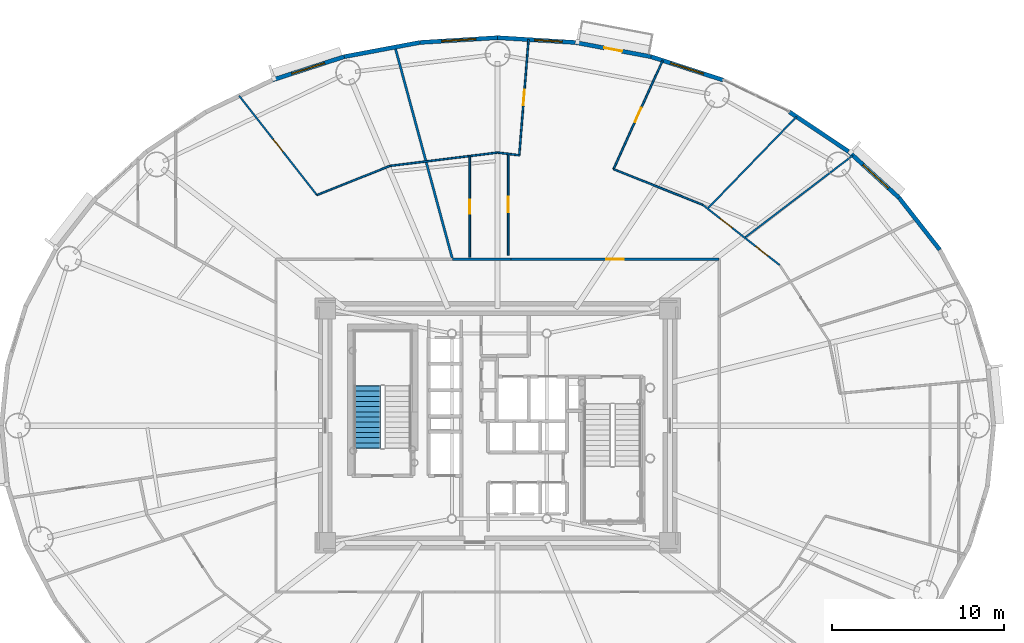
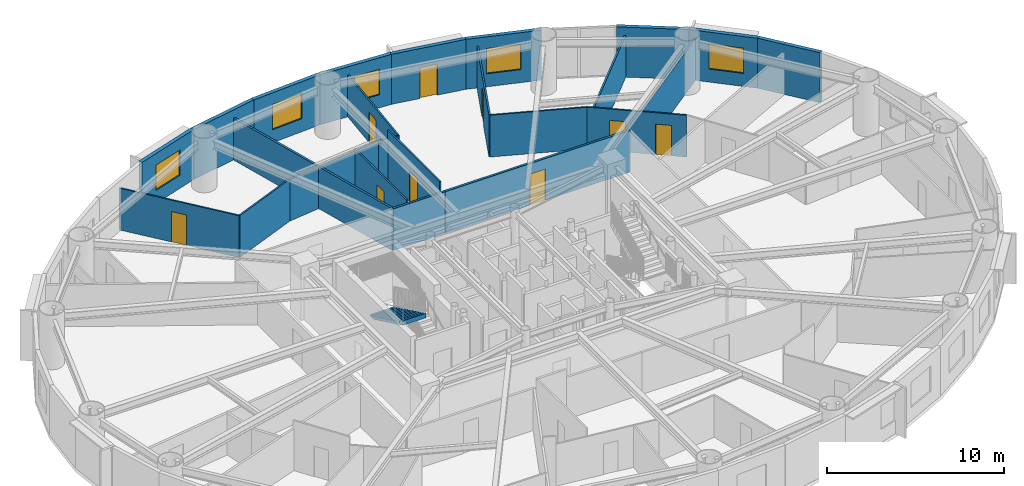
# One storey, part 11 of 17: 24 walls, 9 doors, 5 windows, 1 stair flight, 14 openings, 1 element without a shape of its own.
"""IFC4 building model written with IfcOpenShell, lengths in metres."""

from ifc_helpers import new_model, si_unit, direction, frame, frame_2d, origin, origin_2d, place, context, subcontext, project, spatial, polyline, rectangle, outline, extrude, source, transform, mapped, material, layer, layer_set, type_object, element, fill, aggregate, save


model = new_model("IFC4")

# Units and contexts
model_context = context("Model", 3, precision=1e-05, world=origin(), true_north=direction((0.0, 1.0)))
body_context = subcontext(model_context, "Body", "Model", "MODEL_VIEW")
ifc_project = project(units=[si_unit("LENGTHUNIT", "METRE"), si_unit("AREAUNIT", "SQUARE_METRE"), si_unit("VOLUMEUNIT", "CUBIC_METRE"), si_unit("PLANEANGLEUNIT", "RADIAN"), si_unit("MASSUNIT", "GRAM", prefix="KILO")], contexts=[model_context])

# Site, building, storey
site_placement = place(None, origin())
site = spatial("IfcSite", under=ifc_project, at=site_placement, CompositionType="ELEMENT")
building_placement = place(site_placement, origin())
building = spatial("IfcBuilding", under=site, at=building_placement, Name="Linh Dai School and Residence Tower", CompositionType="ELEMENT")
storey_placement = place(building_placement, frame((0.0, 0.0, 142.199951171875)))
storey = spatial("IfcBuildingStorey", under=building, at=storey_placement, Name="L34", CompositionType="ELEMENT", Elevation=142.199951171875)

# Wall
ifc_material_1 = material(Name="Precast Concrete B45 (C35/45)", Category="concrete")
ifc_layer_1 = layer(ifc_material_1, 0.239990234375)
ifc_layer_set_1 = layer_set([ifc_layer_1], Name="Precast Concrete B45 (C35/45)")
wall_type_1 = type_object("IfcWallType", Name="EW-TC-240", PredefinedType="SOLIDWALL", material=ifc_layer_set_1)
wall_1_placement = place(storey_placement, frame((59.2890625, 40.216552734375, 0.0), z_axis=(0.0, 0.0, 1.0), x_axis=(0.616272103517, -0.787533297345, 0.0)))
element("IfcWall", 1, at=wall_1_placement, inside=storey, type_object=wall_type_1, Name="L34 Terracotta Exterior Wall 04", PredefinedType="SOLIDWALL", context=body_context, shape_type="SweptSolid", body=[
    extrude(rectangle(XDim=3.8232421875, YDim=0.239990234375, at=frame_2d((1.91162109375, 0.0))), origin(), (0.0, 0.0, 1.0), 3.449951171875),
])

# Wall, opening, window
wall_2_placement = place(storey_placement, frame((56.3583984375, 42.9033203125, 0.0), z_axis=(0.0, 0.0, 1.0), x_axis=(0.737113356241, -0.675769117414, 0.0)))
wall_2 = element("IfcWall", 2, at=wall_2_placement, inside=storey, type_object=wall_type_1, Name="L34 Terracotta Exterior Wall 05", PredefinedType="SOLIDWALL", context=body_context, shape_type="SweptSolid", body=[
    extrude(rectangle(XDim=3.975830078125, YDim=0.239990234375, at=frame_2d((1.98779296875, 0.0))), origin(), (0.0, 0.0, 1.0), 3.449951171875),
])
opening_1_placement = place(wall_2_placement, frame((1.140625, 0.0, 0.89990234375)))
opening_1 = element("IfcOpeningElement", 3, at=opening_1_placement, cuts=wall_2, Name="Opening W1", PredefinedType="OPENING", context=body_context, shape_type="SweptSolid", body=[
    extrude(rectangle(XDim=2.0, YDim=1.75, at=origin_2d()), frame((1.0, 0.1298828125, 0.875), z_axis=(0.0, -1.0, 0.0), x_axis=(1.0, 0.0, 0.0)), (0.0, 0.0, 1.0), 0.260009765625),
])
ifc_material_2 = material(Name="Double Low-E Insulated Glazing", Category="glass")
window_type_1 = type_object("IfcWindowType", Name="WN-RES-2000x1750", PartitioningType="DOUBLE_PANEL_VERTICAL", PredefinedType="WINDOW", material=ifc_material_2)
shared_shape_1 = source(origin(), body_context, "Body", "SweptSolid", [
    extrude(rectangle(XDim=2.0, YDim=1.75, at=origin_2d()), frame((1.0, 0.030029296875, 0.875), z_axis=(0.0, -1.0, 0.0), x_axis=(1.0, 0.0, 0.0)), (0.0, 0.0, 1.0), 0.06005859375),
])
window_1_placement = place(opening_1_placement, origin())
window_1 = element("IfcWindow", 4, at=window_1_placement, inside=storey, type_object=window_type_1, Name="L34 Exterior Window 05.1", OverallHeight=1.75, OverallWidth=2.0, PartitioningType="DOUBLE_PANEL_VERTICAL", PredefinedType="WINDOW", context=body_context, shape_type="MappedRepresentation", body=[
    mapped(shared_shape_1, transform((0.0, 0.0, 0.0), x_axis=(1.0, 0.0, 0.0), y_axis=(0.0, 1.0, 0.0), z_axis=(0.0, 0.0, 1.0), scale=1.0)),
])
fill(opening_1, window_1)

# Wall
wall_3_placement = place(storey_placement, frame((52.92529296875, 45.199462890625, 0.0), z_axis=(0.0, 0.0, 1.0), x_axis=(0.831221811447, -0.555940914284, 0.0)))
element("IfcWall", 5, at=wall_3_placement, inside=storey, type_object=wall_type_1, Name="L34 Terracotta Exterior Wall 06", PredefinedType="SOLIDWALL", context=body_context, shape_type="SweptSolid", body=[
    extrude(rectangle(XDim=4.130126953125, YDim=0.239990234375, at=frame_2d((2.06494140625, 0.0))), origin(), (0.0, 0.0, 1.0), 3.449951171875),
])

# Wall, opening, window
wall_4_placement = place(storey_placement, frame((44.899658203125, 48.4013671875, 0.0), z_axis=(0.0, 0.0, 1.0), x_axis=(0.951211346073, -0.308540070495, 0.0)))
wall_4 = element("IfcWall", 6, at=wall_4_placement, inside=storey, type_object=wall_type_1, Name="L34 Terracotta Exterior Wall 08", PredefinedType="SOLIDWALL", context=body_context, shape_type="SweptSolid", body=[
    extrude(rectangle(XDim=4.388427734375, YDim=0.239990234375, at=frame_2d((2.1943359375, 0.0))), origin(), (0.0, 0.0, 1.0), 3.449951171875),
])
opening_2_placement = place(wall_4_placement, frame((1.194091796875, 0.0, 0.89990234375)))
opening_2 = element("IfcOpeningElement", 7, at=opening_2_placement, cuts=wall_4, Name="Opening W1", PredefinedType="OPENING", context=body_context, shape_type="SweptSolid", body=[
    extrude(rectangle(XDim=2.0, YDim=1.75, at=origin_2d()), frame((1.0, 0.1298828125, 0.875), z_axis=(0.0, -1.0, 0.0), x_axis=(1.0, 0.0, 0.0)), (0.0, 0.0, 1.0), 0.260009765625),
])
window_2_placement = place(opening_2_placement, origin())
window_2 = element("IfcWindow", 8, at=window_2_placement, inside=storey, type_object=window_type_1, Name="L34 Exterior Window 08.1", OverallHeight=1.75, OverallWidth=2.0, PartitioningType="DOUBLE_PANEL_VERTICAL", PredefinedType="WINDOW", context=body_context, shape_type="MappedRepresentation", body=[
    mapped(shared_shape_1, transform((0.0, 0.0, 0.0), x_axis=(1.0, 0.0, 0.0), y_axis=(0.0, 1.0, 0.0), z_axis=(0.0, 0.0, 1.0), scale=1.0)),
])
fill(opening_2, window_2)

# Wall, opening, door
wall_5_placement = place(storey_placement, frame((40.505615234375, 49.227294921875, 0.0), z_axis=(0.0, 0.0, 1.0), x_axis=(0.982789252177, -0.184730305596, 0.0)))
wall_5 = element("IfcWall", 9, at=wall_5_placement, inside=storey, type_object=wall_type_1, Name="L34 Terracotta Exterior Wall 09", PredefinedType="SOLIDWALL", context=body_context, shape_type="SweptSolid", body=[
    extrude(rectangle(XDim=4.470947265625, YDim=0.239990234375, at=frame_2d((2.2353515625, 0.0))), origin(), (0.0, 0.0, 1.0), 3.449951171875),
])
opening_3_placement = place(wall_5_placement, frame((1.710693359375, 0.0, 0.0)))
opening_3 = element("IfcOpeningElement", 10, at=opening_3_placement, cuts=wall_5, Name="Opening BD1", PredefinedType="OPENING", context=body_context, shape_type="SweptSolid", body=[
    extrude(rectangle(XDim=1.050048828125, YDim=2.14990234375, at=origin_2d()), frame((0.52490234375, 0.1298828125, 1.074951171875), z_axis=(0.0, -1.0, 0.0), x_axis=(1.0, 0.0, 0.0)), (0.0, 0.0, 1.0), 0.260009765625),
])
ifc_material_3 = material(Name="Double-Glazed Balcony Door", Category="glass")
door_type_1 = type_object("IfcDoorType", Name="DR-BALC-1050x2150", OperationType="NOTDEFINED", PredefinedType="DOOR", material=ifc_material_3)
shared_shape_2 = source(origin(), body_context, "Body", "SweptSolid", [
    extrude(rectangle(XDim=1.050048828125, YDim=2.14990234375, at=origin_2d()), frame((0.52490234375, 0.02490234375, 1.074951171875), z_axis=(0.0, -1.0, 0.0), x_axis=(1.0, 0.0, 0.0)), (0.0, 0.0, 1.0), 0.050048828125),
])
door_1_placement = place(opening_3_placement, origin())
door_1 = element("IfcDoor", 11, at=door_1_placement, inside=storey, type_object=door_type_1, Name="L34 Glazed Balcony Door 09", OperationType="SINGLE_SWING_LEFT", OverallHeight=2.14990234375, OverallWidth=1.050048828125, PredefinedType="DOOR", context=body_context, shape_type="MappedRepresentation", body=[
    mapped(shared_shape_2, transform((0.0, 0.0, 0.0), x_axis=(1.0, 0.0, 0.0), y_axis=(0.0, 1.0, 0.0), z_axis=(0.0, 0.0, 1.0), scale=1.0)),
])
fill(opening_3, door_1)

# Wall, opening, window
wall_6_placement = place(storey_placement, frame((36.0, 49.5048828125, 0.0), z_axis=(0.0, 0.0, 1.0), x_axis=(0.998107531589, -0.061492726276, 0.0)))
wall_6 = element("IfcWall", 12, at=wall_6_placement, inside=storey, type_object=wall_type_1, Name="L34 Terracotta Exterior Wall 10", PredefinedType="SOLIDWALL", context=body_context, shape_type="SweptSolid", body=[
    extrude(rectangle(XDim=4.51416015625, YDim=0.239990234375, at=frame_2d((2.257080078125, 0.0))), origin(), (0.0, 0.0, 1.0), 3.449951171875),
])
opening_4_placement = place(wall_6_placement, frame((2.161376953125, 0.0, 0.89990234375)))
opening_4 = element("IfcOpeningElement", 13, at=opening_4_placement, cuts=wall_6, Name="Opening W2", PredefinedType="OPENING", context=body_context, shape_type="SweptSolid", body=[
    extrude(rectangle(XDim=1.60009765625, YDim=1.75, at=origin_2d()), frame((0.800048828125, 0.1298828125, 0.875), z_axis=(0.0, -1.0, 0.0), x_axis=(1.0, 0.0, 0.0)), (0.0, 0.0, 1.0), 0.260009765625),
])
window_type_2 = type_object("IfcWindowType", Name="WN-RES-1600x1750", PartitioningType="DOUBLE_PANEL_VERTICAL", PredefinedType="WINDOW", material=ifc_material_2)
shared_shape_3 = source(origin(), body_context, "Body", "SweptSolid", [
    extrude(rectangle(XDim=1.60009765625, YDim=1.75, at=origin_2d()), frame((0.800048828125, 0.030029296875, 0.875), z_axis=(0.0, -1.0, 0.0), x_axis=(1.0, 0.0, 0.0)), (0.0, 0.0, 1.0), 0.06005859375),
])
window_3_placement = place(opening_4_placement, origin())
window_3 = element("IfcWindow", 14, at=window_3_placement, inside=storey, type_object=window_type_2, Name="L34 Exterior Window 10.1", OverallHeight=1.75, OverallWidth=1.60009765625, PartitioningType="DOUBLE_PANEL_VERTICAL", PredefinedType="WINDOW", context=body_context, shape_type="MappedRepresentation", body=[
    mapped(shared_shape_3, transform((0.0, 0.0, 0.0), x_axis=(1.0, 0.0, 0.0), y_axis=(0.0, 1.0, 0.0), z_axis=(0.0, 0.0, 1.0), scale=1.0)),
])
fill(opening_4, window_3)

wall_7_placement = place(storey_placement, frame((31.494384765625, 49.227294921875, 0.0), z_axis=(0.0, 0.0, 1.0), x_axis=(0.998107531589, 0.061492726276, 0.0)))
wall_7 = element("IfcWall", 15, at=wall_7_placement, inside=storey, type_object=wall_type_1, Name="L34 Terracotta Exterior Wall 11", PredefinedType="SOLIDWALL", context=body_context, shape_type="SweptSolid", body=[
    extrude(rectangle(XDim=4.51416015625, YDim=0.239990234375, at=frame_2d((2.257080078125, 0.0))), origin(), (0.0, 0.0, 1.0), 3.449951171875),
])
opening_5_placement = place(wall_7_placement, frame((1.257080078125, 0.0, 0.89990234375)))
opening_5 = element("IfcOpeningElement", 16, at=opening_5_placement, cuts=wall_7, Name="Opening W1", PredefinedType="OPENING", context=body_context, shape_type="SweptSolid", body=[
    extrude(rectangle(XDim=2.0, YDim=1.75, at=origin_2d()), frame((1.0, 0.1298828125, 0.875), z_axis=(0.0, -1.0, 0.0), x_axis=(1.0, 0.0, 0.0)), (0.0, 0.0, 1.0), 0.260009765625),
])
window_4_placement = place(opening_5_placement, origin())
window_4 = element("IfcWindow", 17, at=window_4_placement, inside=storey, type_object=window_type_1, Name="L34 Exterior Window 11.1", OverallHeight=1.75, OverallWidth=2.0, PartitioningType="DOUBLE_PANEL_VERTICAL", PredefinedType="WINDOW", context=body_context, shape_type="MappedRepresentation", body=[
    mapped(shared_shape_1, transform((0.0, 0.0, 0.0), x_axis=(1.0, 0.0, 0.0), y_axis=(0.0, 1.0, 0.0), z_axis=(0.0, 0.0, 1.0), scale=1.0)),
])
fill(opening_5, window_4)

# Wall
wall_8_placement = place(storey_placement, frame((27.100341796875, 48.4013671875, 0.0), z_axis=(0.0, 0.0, 1.0), x_axis=(0.982789252177, 0.184730305596, 0.0)))
element("IfcWall", 18, at=wall_8_placement, inside=storey, type_object=wall_type_1, Name="L34 Terracotta Exterior Wall 12", PredefinedType="SOLIDWALL", context=body_context, shape_type="SweptSolid", body=[
    extrude(rectangle(XDim=4.470947265625, YDim=0.239990234375, at=frame_2d((2.2353515625, 0.0))), origin(), (0.0, 0.0, 1.0), 3.449951171875),
])

# Wall, opening, window
wall_9_placement = place(storey_placement, frame((22.926025390625, 47.04736328125, 0.0), z_axis=(0.0, 0.0, 1.0), x_axis=(0.951211346073, 0.308540070495, 0.0)))
wall_9 = element("IfcWall", 19, at=wall_9_placement, inside=storey, type_object=wall_type_1, Name="L34 Terracotta Exterior Wall 13", PredefinedType="SOLIDWALL", context=body_context, shape_type="SweptSolid", body=[
    extrude(rectangle(XDim=4.388427734375, YDim=0.239990234375, at=frame_2d((2.1943359375, 0.0))), origin(), (0.0, 0.0, 1.0), 3.449951171875),
])
opening_6_placement = place(wall_9_placement, frame((1.1943359375, 0.0, 0.89990234375)))
opening_6 = element("IfcOpeningElement", 20, at=opening_6_placement, cuts=wall_9, Name="Opening W1", PredefinedType="OPENING", context=body_context, shape_type="SweptSolid", body=[
    extrude(rectangle(XDim=2.0, YDim=1.75, at=origin_2d()), frame((1.0, 0.1298828125, 0.875), z_axis=(0.0, -1.0, 0.0), x_axis=(1.0, 0.0, 0.0)), (0.0, 0.0, 1.0), 0.260009765625),
])
window_5_placement = place(opening_6_placement, origin())
window_5 = element("IfcWindow", 21, at=window_5_placement, inside=storey, type_object=window_type_1, Name="L34 Exterior Window 13.1", OverallHeight=1.75, OverallWidth=2.0, PartitioningType="DOUBLE_PANEL_VERTICAL", PredefinedType="WINDOW", context=body_context, shape_type="MappedRepresentation", body=[
    mapped(shared_shape_1, transform((0.0, 0.0, 0.0), x_axis=(1.0, 0.0, 0.0), y_axis=(0.0, 1.0, 0.0), z_axis=(0.0, 0.0, 1.0), scale=1.0)),
])
fill(opening_6, window_5)

# Wall
ifc_material_4 = material(Name="Autoclaved Aerated Concrete Blockwork", Category="masonry")
ifc_layer_2 = layer(ifc_material_4, 0.135009765625)
ifc_layer_set_2 = layer_set([ifc_layer_2], Name="Autoclaved Aerated Concrete Blockwork")
wall_type_2 = type_object("IfcWallType", Name="IW-CORR-135-EI90", PredefinedType="PARTITIONING", material=ifc_layer_set_2)
wall_10_placement = place(storey_placement, frame((30.0517578125, 48.961181640625, 0.0), z_axis=(0.0, 0.0, 1.0), x_axis=(0.261432565902, -0.965221743169, 0.0)))
element("IfcWall", 22, at=wall_10_placement, inside=storey, type_object=wall_type_2, Name="L34 Interior Partition Wall 024", PredefinedType="PARTITIONING", context=body_context, shape_type="SweptSolid", body=[
    extrude(rectangle(XDim=12.754638671875, YDim=0.135009765625, at=frame_2d((6.37744140625, 0.0))), origin(), (0.0, 0.0, 1.0), 2.885009765625),
])

# Wall, opening, door
wall_11_placement = place(storey_placement, frame((36.773681640625, 36.64990234375, 0.0), z_axis=(0.0, 0.0, 1.0), x_axis=(1.0, 0.0, 0.0)))
wall_11 = element("IfcWall", 23, at=wall_11_placement, inside=storey, type_object=wall_type_2, Name="L34 Interior Partition Wall 053", PredefinedType="PARTITIONING", context=body_context, shape_type="SweptSolid", body=[
    extrude(rectangle(XDim=12.076416015625, YDim=0.135009765625, at=frame_2d((6.0380859375, 0.0))), origin(), (0.0, 0.0, 1.0), 2.885009765625),
])
opening_7_placement = place(wall_11_placement, frame((5.5380859375, 0.0, 0.0)))
opening_7 = element("IfcOpeningElement", 24, at=opening_7_placement, cuts=wall_11, Name="Opening D03", PredefinedType="OPENING", context=body_context, shape_type="SweptSolid", body=[
    extrude(rectangle(XDim=1.0, YDim=2.14990234375, at=origin_2d()), frame((0.5, 0.07763671875, 1.074951171875), z_axis=(0.0, -1.0, 0.0), x_axis=(1.0, 0.0, 0.0)), (0.0, 0.0, 1.0), 0.155029296875),
])
ifc_material_5 = material(Name="Fire-Rated Solid Timber Entrance Door", Category="wood")
door_type_2 = type_object("IfcDoorType", Name="DR-FLAT-1000x2150-FD60S", OperationType="NOTDEFINED", PredefinedType="DOOR", material=ifc_material_5)
shared_shape_4 = source(origin(), body_context, "Body", "SweptSolid", [
    extrude(rectangle(XDim=1.0, YDim=2.14990234375, at=origin_2d()), frame((0.5, 0.02490234375, 1.074951171875), z_axis=(0.0, -1.0, 0.0), x_axis=(1.0, 0.0, 0.0)), (0.0, 0.0, 1.0), 0.050048828125),
])
door_2_placement = place(opening_7_placement, origin())
door_2 = element("IfcDoor", 25, at=door_2_placement, inside=storey, type_object=door_type_2, Name="L34 U3404 Apartment Entrance Door", OperationType="SINGLE_SWING_LEFT", OverallHeight=2.14990234375, OverallWidth=1.0, PredefinedType="DOOR", context=body_context, shape_type="MappedRepresentation", body=[
    mapped(shared_shape_4, transform((0.0, 0.0, 0.0), x_axis=(1.0, 0.0, 0.0), y_axis=(0.0, 1.0, 0.0), z_axis=(0.0, 0.0, 1.0), scale=1.0)),
])
fill(opening_7, door_2)

# Wall
wall_12_placement = place(storey_placement, frame((33.396240234375, 36.64990234375, 0.0), z_axis=(0.0, 0.0, 1.0), x_axis=(1.0, 0.0, 0.0)))
element("IfcWall", 26, at=wall_12_placement, inside=storey, type_object=wall_type_2, Name="L34 Interior Partition Wall 102", PredefinedType="PARTITIONING", context=body_context, shape_type="SweptSolid", body=[
    extrude(rectangle(XDim=3.367431640625, YDim=0.135009765625, at=frame_2d((1.68359375, 0.0))), origin(), (0.0, 0.0, 1.0), 2.885009765625),
])

# Wall, opening, door
ifc_material_6 = material(Name="Gypsum Plasterboard Acoustic Stud Partition", Category="masonry")
ifc_layer_3 = layer(ifc_material_6, 0.10009765625)
ifc_layer_set_3 = layer_set([ifc_layer_3], Name="Gypsum Plasterboard Acoustic Stud Partition")
wall_type_3 = type_object("IfcWallType", Name="IW-UNIT-100", PredefinedType="PARTITIONING", material=ifc_layer_set_3)
wall_13_placement = place(storey_placement, frame((21.009521484375, 46.13330078125, 0.0), z_axis=(0.0, 0.0, 1.0), x_axis=(0.616738538538, -0.787168072956, 0.0)))
wall_13 = element("IfcWall", 27, at=wall_13_placement, inside=storey, type_object=wall_type_3, Name="L34 Interior Partition Wall 014", PredefinedType="PARTITIONING", context=body_context, shape_type="SweptSolid", body=[
    extrude(rectangle(XDim=7.3115234375, YDim=0.10009765625, at=frame_2d((3.65576171875, 0.0))), origin(), (0.0, 0.0, 1.0), 2.885009765625),
])
opening_8_placement = place(wall_13_placement, frame((3.205810546875, 0.0, 0.0)))
opening_8 = element("IfcOpeningElement", 28, at=opening_8_placement, cuts=wall_13, Name="Opening D05", PredefinedType="OPENING", context=body_context, shape_type="SweptSolid", body=[
    extrude(rectangle(XDim=0.89990234375, YDim=2.10009765625, at=origin_2d()), frame((0.449951171875, 0.06005859375, 1.050048828125), z_axis=(0.0, -1.0, 0.0), x_axis=(1.0, 0.0, 0.0)), (0.0, 0.0, 1.0), 0.1201171875),
])
ifc_material_7 = material(Name="Engineered Timber Internal Door", Category="wood")
door_type_3 = type_object("IfcDoorType", Name="DR-INT-900x2100", OperationType="NOTDEFINED", PredefinedType="DOOR", material=ifc_material_7)
shared_shape_5 = source(origin(), body_context, "Body", "SweptSolid", [
    extrude(rectangle(XDim=0.89990234375, YDim=2.10009765625, at=origin_2d()), frame((0.449951171875, 0.02490234375, 1.050048828125), z_axis=(0.0, -1.0, 0.0), x_axis=(1.0, 0.0, 0.0)), (0.0, 0.0, 1.0), 0.050048828125),
])
door_3_placement = place(opening_8_placement, origin())
door_3 = element("IfcDoor", 29, at=door_3_placement, inside=storey, type_object=door_type_3, Name="L34 Apartment U3405 Principal Bedroom 1 Door", OperationType="SINGLE_SWING_LEFT", OverallHeight=2.10009765625, OverallWidth=0.89990234375, PredefinedType="DOOR", context=body_context, shape_type="MappedRepresentation", body=[
    mapped(shared_shape_5, transform((0.0, 0.0, 0.0), x_axis=(1.0, 0.0, 0.0), y_axis=(0.0, 1.0, 0.0), z_axis=(0.0, 0.0, 1.0), scale=1.0)),
])
fill(opening_8, door_3)

# Walls
wall_14_placement = place(storey_placement, frame((25.518798828125, 40.3779296875, 0.0), z_axis=(0.0, 0.0, 1.0), x_axis=(0.928790623107, 0.37060488182, 0.0)))
element("IfcWall", 30, at=wall_14_placement, inside=storey, type_object=wall_type_3, Name="L34 Interior Partition Wall 018", PredefinedType="PARTITIONING", context=body_context, shape_type="SweptSolid", body=[
    extrude(rectangle(XDim=4.553955078125, YDim=0.10009765625, at=frame_2d((2.27685546875, 0.0))), origin(), (0.0, 0.0, 1.0), 2.885009765625),
])
wall_15_placement = place(storey_placement, frame((29.74853515625, 42.065673828125, 0.0), z_axis=(0.0, 0.0, 1.0), x_axis=(0.992395485088, 0.123090215599, 0.0)))
element("IfcWall", 31, at=wall_15_placement, inside=storey, type_object=wall_type_3, Name="L34 Interior Partition Wall 023", PredefinedType="PARTITIONING", context=body_context, shape_type="SweptSolid", body=[
    extrude(rectangle(XDim=6.29931640625, YDim=0.10009765625, at=frame_2d((3.149658203125, 0.0))), origin(), (0.0, 0.0, 1.0), 2.885009765625),
])

# Wall, opening, door
wall_16_placement = place(storey_placement, frame((34.38525390625, 36.7568359375, 0.0), z_axis=(0.0, 0.0, 1.0), x_axis=(0.0, 1.0, 0.0)))
wall_16 = element("IfcWall", 32, at=wall_16_placement, inside=storey, type_object=wall_type_3, Name="L34 Interior Partition Wall 036", PredefinedType="PARTITIONING", context=body_context, shape_type="SweptSolid", body=[
    extrude(rectangle(XDim=5.884033203125, YDim=0.10009765625, at=frame_2d((2.94189453125, 0.0))), origin(), (0.0, 0.0, 1.0), 3.03515625),
])
opening_9_placement = place(wall_16_placement, frame((2.531982421875, 0.0, 0.0)))
opening_9 = element("IfcOpeningElement", 33, at=opening_9_placement, cuts=wall_16, Name="Opening D06", PredefinedType="OPENING", context=body_context, shape_type="SweptSolid", body=[
    extrude(rectangle(XDim=0.820068359375, YDim=2.10009765625, at=origin_2d()), frame((0.41015625, 0.06005859375, 1.050048828125), z_axis=(0.0, -1.0, 0.0), x_axis=(1.0, 0.0, 0.0)), (0.0, 0.0, 1.0), 0.1201171875),
])
ifc_material_8 = material(Name="Moisture-Resistant Timber Bathroom Door", Category="wood")
door_type_4 = type_object("IfcDoorType", Name="DR-WET-820x2100", OperationType="NOTDEFINED", PredefinedType="DOOR", material=ifc_material_8)
shared_shape_6 = source(origin(), body_context, "Body", "SweptSolid", [
    extrude(rectangle(XDim=0.820068359375, YDim=2.10009765625, at=origin_2d()), frame((0.41015625, 0.02490234375, 1.050048828125), z_axis=(0.0, -1.0, 0.0), x_axis=(1.0, 0.0, 0.0)), (0.0, 0.0, 1.0), 0.050048828125),
])
door_4_placement = place(opening_9_placement, origin())
door_4 = element("IfcDoor", 34, at=door_4_placement, inside=storey, type_object=door_type_4, Name="L34 Apartment U3404 Bathroom 1 Door", OperationType="SINGLE_SWING_LEFT", OverallHeight=2.10009765625, OverallWidth=0.820068359375, PredefinedType="DOOR", context=body_context, shape_type="MappedRepresentation", body=[
    mapped(shared_shape_6, transform((0.0, 0.0, 0.0), x_axis=(1.0, 0.0, 0.0), y_axis=(0.0, 1.0, 0.0), z_axis=(0.0, 0.0, 1.0), scale=1.0)),
])
fill(opening_9, door_4)

# Wall
wall_17_placement = place(storey_placement, frame((36.0, 42.841064453125, 0.0), z_axis=(0.0, 0.0, 1.0), x_axis=(0.992384274499, -0.123180565541, 0.0)))
element("IfcWall", 35, at=wall_17_placement, inside=storey, type_object=wall_type_3, Name="L34 Interior Partition Wall 051", PredefinedType="PARTITIONING", context=body_context, shape_type="SweptSolid", body=[
    extrude(rectangle(XDim=1.2666015625, YDim=0.10009765625, at=frame_2d((0.63330078125, 0.0))), origin(), (0.0, 0.0, 1.0), 2.885009765625),
])

# Wall, opening, door
wall_18_placement = place(storey_placement, frame((36.617431640625, 36.880615234375, 0.0), z_axis=(0.0, 0.0, 1.0), x_axis=(0.0, 1.0, 0.0)))
wall_18 = element("IfcWall", 36, at=wall_18_placement, inside=storey, type_object=wall_type_3, Name="L34 Interior Partition Wall 052", PredefinedType="PARTITIONING", context=body_context, shape_type="SweptSolid", body=[
    extrude(rectangle(XDim=5.8837890625, YDim=0.10009765625, at=frame_2d((2.94189453125, 0.0))), origin(), (0.0, 0.0, 1.0), 3.449951171875),
])
opening_10_placement = place(wall_18_placement, frame((2.491943359375, 0.0, 0.0)))
opening_10 = element("IfcOpeningElement", 37, at=opening_10_placement, cuts=wall_18, Name="Opening D05", PredefinedType="OPENING", context=body_context, shape_type="SweptSolid", body=[
    extrude(rectangle(XDim=0.89990234375, YDim=2.10009765625, at=origin_2d()), frame((0.449951171875, 0.06005859375, 1.050048828125), z_axis=(0.0, -1.0, 0.0), x_axis=(1.0, 0.0, 0.0)), (0.0, 0.0, 1.0), 0.1201171875),
])
door_5_placement = place(opening_10_placement, origin())
door_5 = element("IfcDoor", 38, at=door_5_placement, inside=storey, type_object=door_type_3, Name="L34 Apartment U3404 Kitchen Door", OperationType="SINGLE_SWING_RIGHT", OverallHeight=2.10009765625, OverallWidth=0.89990234375, PredefinedType="DOOR", context=body_context, shape_type="MappedRepresentation", body=[
    mapped(shared_shape_5, transform((0.0, 0.0, 0.0), x_axis=(1.0, 0.0, 0.0), y_axis=(0.0, 1.0, 0.0), z_axis=(0.0, 0.0, 1.0), scale=1.0)),
])
fill(opening_10, door_5)

wall_19_placement = place(storey_placement, frame((37.257568359375, 42.68505859375, 0.0), z_axis=(0.0, 0.0, 1.0), x_axis=(0.079919529762, 0.9968013186, 0.0)))
wall_19 = element("IfcWall", 39, at=wall_19_placement, inside=storey, type_object=wall_type_3, Name="L34 Interior Partition Wall 056", PredefinedType="PARTITIONING", context=body_context, shape_type="SweptSolid", body=[
    extrude(rectangle(XDim=6.73583984375, YDim=0.10009765625, at=frame_2d((3.367919921875, 0.0))), origin(), (0.0, 0.0, 1.0), 2.885009765625),
])
opening_11_placement = place(wall_19_placement, frame((2.91796875, 0.0, 0.0)))
opening_11 = element("IfcOpeningElement", 40, at=opening_11_placement, cuts=wall_19, Name="Opening D05", PredefinedType="OPENING", context=body_context, shape_type="SweptSolid", body=[
    extrude(rectangle(XDim=0.89990234375, YDim=2.10009765625, at=origin_2d()), frame((0.449951171875, 0.06005859375, 1.050048828125), z_axis=(0.0, -1.0, 0.0), x_axis=(1.0, 0.0, 0.0)), (0.0, 0.0, 1.0), 0.1201171875),
])
door_6_placement = place(opening_11_placement, origin())
door_6 = element("IfcDoor", 41, at=door_6_placement, inside=storey, type_object=door_type_3, Name="L34 Apartment U3404 Principal Bedroom 3 Door", OperationType="SINGLE_SWING_LEFT", OverallHeight=2.10009765625, OverallWidth=0.89990234375, PredefinedType="DOOR", context=body_context, shape_type="MappedRepresentation", body=[
    mapped(shared_shape_5, transform((0.0, 0.0, 0.0), x_axis=(1.0, 0.0, 0.0), y_axis=(0.0, 1.0, 0.0), z_axis=(0.0, 0.0, 1.0), scale=1.0)),
])
fill(opening_11, door_6)

wall_20_placement = place(storey_placement, frame((42.724365234375, 41.876953125, 0.0), z_axis=(0.0, 0.0, 1.0), x_axis=(0.411868207503, 0.911243425023, 0.0)))
wall_20 = element("IfcWall", 42, at=wall_20_placement, inside=storey, type_object=wall_type_3, Name="L34 Interior Partition Wall 071", PredefinedType="PARTITIONING", context=body_context, shape_type="SweptSolid", body=[
    extrude(rectangle(XDim=6.924560546875, YDim=0.10009765625, at=frame_2d((3.46240234375, 0.0))), origin(), (0.0, 0.0, 1.0), 2.885009765625),
])
opening_12_placement = place(wall_20_placement, frame((3.01220703125, 0.0, 0.0)))
opening_12 = element("IfcOpeningElement", 43, at=opening_12_placement, cuts=wall_20, Name="Opening D05", PredefinedType="OPENING", context=body_context, shape_type="SweptSolid", body=[
    extrude(rectangle(XDim=0.89990234375, YDim=2.10009765625, at=origin_2d()), frame((0.449951171875, 0.06005859375, 1.050048828125), z_axis=(0.0, -1.0, 0.0), x_axis=(1.0, 0.0, 0.0)), (0.0, 0.0, 1.0), 0.1201171875),
])
door_7_placement = place(opening_12_placement, origin())
door_7 = element("IfcDoor", 44, at=door_7_placement, inside=storey, type_object=door_type_3, Name="L34 Apartment U3404 Principal Bedroom 2 Door", OperationType="SINGLE_SWING_RIGHT", OverallHeight=2.10009765625, OverallWidth=0.89990234375, PredefinedType="DOOR", context=body_context, shape_type="MappedRepresentation", body=[
    mapped(shared_shape_5, transform((0.0, 0.0, 0.0), x_axis=(1.0, 0.0, 0.0), y_axis=(0.0, 1.0, 0.0), z_axis=(0.0, 0.0, 1.0), scale=1.0)),
])
fill(opening_12, door_7)

# Wall
wall_21_placement = place(storey_placement, frame((42.724365234375, 41.876953125, 0.0), z_axis=(0.0, 0.0, 1.0), x_axis=(0.928806258388, -0.370565695093, 0.0)))
element("IfcWall", 45, at=wall_21_placement, inside=storey, type_object=wall_type_3, Name="L34 Interior Partition Wall 072", PredefinedType="PARTITIONING", context=body_context, shape_type="SweptSolid", body=[
    extrude(rectangle(XDim=5.5625, YDim=0.10009765625, at=frame_2d((2.78125, 0.0))), origin(), (0.0, 0.0, 1.0), 2.885009765625),
])

# Wall, openings, doors
wall_22_placement = place(storey_placement, frame((47.890869140625, 39.815673828125, 0.0), z_axis=(0.0, 0.0, 1.0), x_axis=(0.787347250317, -0.61650977885, 0.0)))
wall_22 = element("IfcWall", 46, at=wall_22_placement, inside=storey, type_object=wall_type_3, Name="L34 Interior Partition Wall 077", PredefinedType="PARTITIONING", context=body_context, shape_type="SweptSolid", body=[
    extrude(rectangle(XDim=5.683349609375, YDim=0.10009765625, at=frame_2d((2.841796875, 0.0))), origin(), (0.0, 0.0, 1.0), 2.885009765625),
])
opening_13_placement = place(wall_22_placement, frame((3.923095703125, 0.0, 0.0)))
opening_13 = element("IfcOpeningElement", 47, at=opening_13_placement, cuts=wall_22, Name="Opening D05", PredefinedType="OPENING", context=body_context, shape_type="SweptSolid", body=[
    extrude(rectangle(XDim=0.89990234375, YDim=2.10009765625, at=origin_2d()), frame((0.449951171875, 0.06005859375, 1.050048828125), z_axis=(0.0, -1.0, 0.0), x_axis=(1.0, 0.0, 0.0)), (0.0, 0.0, 1.0), 0.1201171875),
])
opening_14_placement = place(wall_22_placement, frame((1.2861328125, 0.0, 0.0)))
opening_14 = element("IfcOpeningElement", 48, at=opening_14_placement, cuts=wall_22, Name="Opening D05", PredefinedType="OPENING", context=body_context, shape_type="SweptSolid", body=[
    extrude(rectangle(XDim=0.89990234375, YDim=2.10009765625, at=origin_2d()), frame((0.449951171875, 0.06005859375, 1.050048828125), z_axis=(0.0, -1.0, 0.0), x_axis=(1.0, 0.0, 0.0)), (0.0, 0.0, 1.0), 0.1201171875),
])
door_8_placement = place(opening_13_placement, origin())
door_8 = element("IfcDoor", 49, at=door_8_placement, inside=storey, type_object=door_type_3, Name="L34 Apartment U3404 Principal Bedroom 1 Door", OperationType="SINGLE_SWING_RIGHT", OverallHeight=2.10009765625, OverallWidth=0.89990234375, PredefinedType="DOOR", context=body_context, shape_type="MappedRepresentation", body=[
    mapped(shared_shape_5, transform((0.0, 0.0, 0.0), x_axis=(1.0, 0.0, 0.0), y_axis=(0.0, 1.0, 0.0), z_axis=(0.0, 0.0, 1.0), scale=1.0)),
])
fill(opening_13, door_8)
door_9_placement = place(opening_14_placement, origin())
door_9 = element("IfcDoor", 50, at=door_9_placement, inside=storey, type_object=door_type_3, Name="L34 Apartment U3404 Study Door", OperationType="SINGLE_SWING_LEFT", OverallHeight=2.10009765625, OverallWidth=0.89990234375, PredefinedType="DOOR", context=body_context, shape_type="MappedRepresentation", body=[
    mapped(shared_shape_5, transform((0.0, 0.0, 0.0), x_axis=(1.0, 0.0, 0.0), y_axis=(0.0, 1.0, 0.0), z_axis=(0.0, 0.0, 1.0), scale=1.0)),
])
fill(opening_14, door_9)

# Walls
wall_23_placement = place(storey_placement, frame((48.181884765625, 39.587890625, 0.0), z_axis=(0.0, 0.0, 1.0), x_axis=(0.695422522839, 0.718601081775, 0.0)))
element("IfcWall", 51, at=wall_23_placement, inside=storey, type_object=wall_type_3, Name="L34 Interior Partition Wall 078", PredefinedType="PARTITIONING", context=body_context, shape_type="SweptSolid", body=[
    extrude(rectangle(XDim=7.42578125, YDim=0.10009765625, at=frame_2d((3.712890625, 0.0))), origin(), (0.0, 0.0, 1.0), 2.885009765625),
])
wall_24_placement = place(storey_placement, frame((50.333740234375, 37.90283203125, 0.0), z_axis=(0.0, 0.0, 1.0), x_axis=(0.795918180565, 0.60540420369, 0.0)))
element("IfcWall", 52, at=wall_24_placement, inside=storey, type_object=wall_type_3, Name="L34 Interior Partition Wall 082", PredefinedType="PARTITIONING", context=body_context, shape_type="SweptSolid", body=[
    extrude(rectangle(XDim=7.887451171875, YDim=0.10009765625, at=frame_2d((3.94384765625, 0.0))), origin(), (0.0, 0.0, 1.0), 2.885009765625),
])

# Stair, stair flight
ifc_material_9 = material(Name="Concrete B45 (C35/45)", Category="concrete")
stair_type = type_object("IfcStairType", Name="ST-DOG-1550-R1442", PredefinedType="HALF_TURN_STAIR", material=ifc_material_9)
stair_placement = place(storey_placement, origin())
stair = element("IfcStair", 53, at=stair_placement, inside=storey, type_object=stair_type, Name="L34 Core Smokeproof Exit Stair ST1", PredefinedType="HALF_TURN_STAIR")
stair_flight_type = type_object("IfcStairFlightType", Name="STF-STR-1550-R1442", PredefinedType="STRAIGHT", material=ifc_material_9)
shared_shape_7 = source(origin(), body_context, "Body", "SweptSolid", [
    extrude(outline(polyline([(-0.02490234375, 0.0), (-0.02490234375, 0.06005859375), (0.0, 0.06005859375), (0.0, 0.144287109375), (0.300048828125, 0.144287109375), (0.300048828125, 0.28857421875), (0.60009765625, 0.28857421875), (0.60009765625, 0.4326171875), (0.89990234375, 0.4326171875), (0.89990234375, 0.576904296875), (1.199951171875, 0.576904296875), (1.199951171875, 0.72119140625), (1.5, 0.72119140625), (1.5, 0.865478515625), (1.800048828125, 0.865478515625), (1.800048828125, 1.009521484375), (2.10009765625, 1.009521484375), (2.10009765625, 1.15380859375), (2.39990234375, 1.15380859375), (2.39990234375, 1.298095703125), (2.699951171875, 1.298095703125), (2.699951171875, 1.4423828125), (3.0, 1.4423828125), (3.0, 1.58642578125), (3.300048828125, 1.58642578125), (3.300048828125, 1.730712890625), (3.60009765625, 1.730712890625), (3.60009765625, 1.875), (3.625, 1.875), (3.625, 1.564453125), (3.60009765625, 1.564453125), (0.345947265625, 0.0), (-0.02490234375, 0.0)])), frame((0.0, 0.77490234375, 0.0), z_axis=(0.0, -1.0, 0.0), x_axis=(1.0, 0.0, 0.0)), (0.0, 0.0, 1.0), 1.550048828125),
])
stair_flight_placement = place(storey_placement, frame((28.455078125, 29.300048828125, 1.875), z_axis=(0.0, 0.0, 1.0), x_axis=(0.0, -1.0, 0.0)))
stair_flight = element("IfcStairFlight", 54, at=stair_flight_placement, type_object=stair_flight_type, Name="ST1 flight 2", NumberOfRisers=13, NumberOfTreads=12, PredefinedType="STRAIGHT", RiserHeight=0.144230769, TreadLength=0.3, context=body_context, shape_type="MappedRepresentation", body=[
    mapped(shared_shape_7, transform((0.0, 0.0, 0.0), x_axis=(1.0, 0.0, 0.0), y_axis=(0.0, 1.0, 0.0), z_axis=(0.0, 0.0, 1.0), scale=1.0)),
])
aggregate(stair, [stair_flight])

save(model, "model.ifc")
